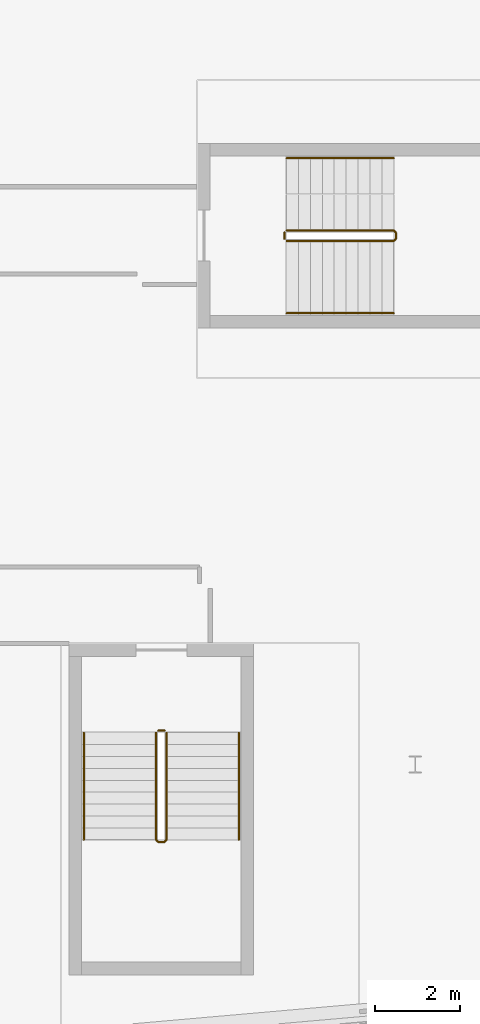
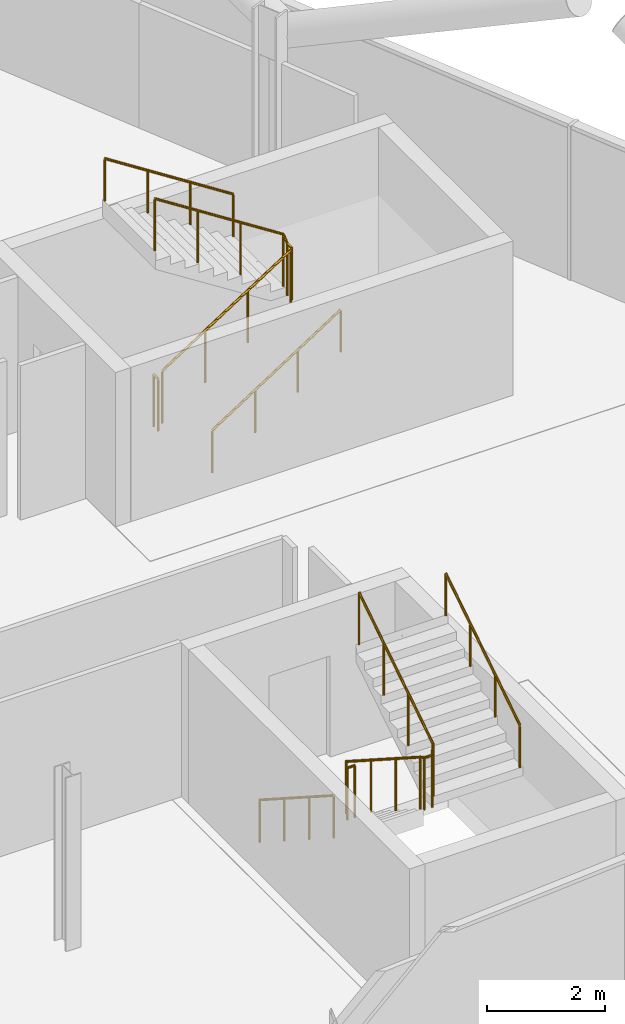
# One storey, part 24 of 25: 8 railings.
"""IFC4 building model written with IfcOpenShell, lengths in metres."""

from ifc_helpers import new_model, si_unit, direction, frame, origin, origin_2d, place, context, subcontext, project, spatial, circle, extrude, material, type_object, element, save


model = new_model("IFC4")

# Units and contexts
model_context = context("Model", 3, precision=1e-05, world=origin(), true_north=direction((0.0, 1.0)))
body_context = subcontext(model_context, "Body", "Model", "MODEL_VIEW")
ifc_project = project(units=[si_unit("LENGTHUNIT", "METRE"), si_unit("AREAUNIT", "SQUARE_METRE"), si_unit("VOLUMEUNIT", "CUBIC_METRE"), si_unit("PLANEANGLEUNIT", "RADIAN"), si_unit("MASSUNIT", "GRAM", prefix="KILO")], contexts=[model_context])

# Site, building, storey
site_placement = place(None, origin())
site = spatial("IfcSite", under=ifc_project, at=site_placement, CompositionType="ELEMENT")
building_placement = place(site_placement, origin())
building = spatial("IfcBuilding", under=site, at=building_placement, Name="Wharfspan Tower", CompositionType="ELEMENT")
storey_placement = place(building_placement, frame((0.0, 0.0, 232.300049)))
storey = spatial("IfcBuildingStorey", under=building, at=storey_placement, Name="L58", CompositionType="ELEMENT", Elevation=232.300049)

# Railings
ifc_material = material(Name="Steel S355J2", Category="steel")
railing_type_1 = type_object("IfcRailingType", Name="Stair guard 1100", PredefinedType="GUARDRAIL", material=ifc_material)
railing_1_placement = place(storey_placement, frame((65.893799, 12.246094, 0.179932)))
element("IfcRailing", 1, at=railing_1_placement, inside=storey, type_object=railing_type_1, Name="L58 ST5 stair guard 1", PredefinedType="GUARDRAIL", context=body_context, shape_type="SweptSolid", body=[
    extrude(circle(Radius=0.023926, at=origin_2d()), frame((0.0, 0.0, 1.076172), z_axis=(0.0, -0.841163, 0.540782), x_axis=(1.0, 0.0, 0.0)), (0.0, 0.0, 1.0), 2.99585),
    extrude(circle(Radius=0.023926, at=origin_2d()), frame((0.0, -2.52002, 2.696289), z_axis=(0.708834, -0.705376, 0.0), x_axis=(0.705376, 0.708834, 0.0)), (0.0, 0.0, 1.0), 0.070557),
    extrude(circle(Radius=0.023926, at=origin_2d()), frame((0.050049, -2.569824, 2.696289), z_axis=(1.0, 0.0, 0.0), x_axis=(0.0, 1.0, 0.0)), (0.0, 0.0, 1.0), 0.149902),
    extrude(circle(Radius=0.023926, at=origin_2d()), frame((0.199951, -2.569824, 2.696289), z_axis=(0.258932, 0.257669, 0.930892), x_axis=(-0.705372, 0.708833, -1e-06)), (0.0, 0.0, 1.0), 0.193359),
    extrude(circle(Radius=0.023926, at=origin_2d()), frame((0.25, -2.52002, 2.875977), z_axis=(0.0, 0.8412, 0.540725), x_axis=(-1.0, 0.0, 0.0)), (0.0, 0.0, 1.0), 2.99585),
    extrude(circle(Radius=0.020996, at=origin_2d()), origin(), (0.0, 0.0, 1.0), 1.052002),
    extrude(circle(Radius=0.020996, at=origin_2d()), frame((0.0, -0.840088, 0.540039)), (0.0, 0.0, 1.0), 1.052002),
    extrude(circle(Radius=0.020996, at=origin_2d()), frame((0.0, -1.679932, 1.080078)), (0.0, 0.0, 1.0), 1.052002),
    extrude(circle(Radius=0.020996, at=origin_2d()), frame((0.0, -2.52002, 1.620117)), (0.0, 0.0, 1.0), 1.052002),
    extrude(circle(Radius=0.020996, at=origin_2d()), frame((0.050049, -2.569824, 1.620117)), (0.0, 0.0, 1.0), 1.052002),
    extrude(circle(Radius=0.020996, at=origin_2d()), frame((0.199951, -2.569824, 1.620117)), (0.0, 0.0, 1.0), 1.052002),
    extrude(circle(Radius=0.020996, at=origin_2d()), frame((0.25, -2.52002, 1.800049)), (0.0, 0.0, 1.0), 1.052002),
    extrude(circle(Radius=0.020996, at=origin_2d()), frame((0.25, -1.679932, 2.340088)), (0.0, 0.0, 1.0), 1.052002),
    extrude(circle(Radius=0.020996, at=origin_2d()), frame((0.25, -0.840088, 2.879883)), (0.0, 0.0, 1.0), 1.052002),
    extrude(circle(Radius=0.020996, at=origin_2d()), frame((0.25, 0.0, 3.419922)), (0.0, 0.0, 1.0), 1.052002),
])
railing_2_placement = place(storey_placement, frame((65.943848, 12.296143, 0.0)))
element("IfcRailing", 2, at=railing_2_placement, inside=storey, type_object=railing_type_1, Name="L58 ST5 stair guard 2", PredefinedType="GUARDRAIL", context=body_context, shape_type="SweptSolid", body=[
    extrude(circle(Radius=0.023926, at=origin_2d()), frame((0.0, 0.0, 1.076172), z_axis=(1.0, 0.0, 0.0), x_axis=(0.0, 1.0, 0.0)), (0.0, 0.0, 1.0), 0.149902),
    extrude(circle(Radius=0.020996, at=origin_2d()), origin(), (0.0, 0.0, 1.0), 1.052002),
    extrude(circle(Radius=0.020996, at=origin_2d()), frame((0.149902, 0.0, 0.0)), (0.0, 0.0, 1.0), 1.052002),
])
railing_3_placement = place(storey_placement, frame((68.969482, 23.824951, 0.179932)))
element("IfcRailing", 3, at=railing_3_placement, inside=storey, type_object=railing_type_1, Name="L58 ST6 stair guard 1", PredefinedType="GUARDRAIL", context=body_context, shape_type="SweptSolid", body=[
    extrude(circle(Radius=0.023926, at=origin_2d()), frame((0.0, 0.0, 1.076172), z_axis=(0.841163, 0.0, 0.540782), x_axis=(0.0, 1.0, 0.0)), (0.0, 0.0, 1.0), 2.99585),
    extrude(circle(Radius=0.023926, at=origin_2d()), frame((2.52002, 0.0, 2.696289), z_axis=(0.707107, 0.707107, 0.0), x_axis=(-0.707107, 0.707107, 0.0)), (0.0, 0.0, 1.0), 0.070801),
    extrude(circle(Radius=0.023926, at=origin_2d()), frame((2.570068, 0.050049, 2.696289), z_axis=(0.0, 1.0, 0.0), x_axis=(-1.0, 0.0, 0.0)), (0.0, 0.0, 1.0), 0.149902),
    extrude(circle(Radius=0.023926, at=origin_2d()), frame((2.570068, 0.199951, 2.696289), z_axis=(-0.258848, 0.258848, 0.930589), x_axis=(-0.707107, -0.707107, 0.0)), (0.0, 0.0, 1.0), 0.193359),
    extrude(circle(Radius=0.023926, at=origin_2d()), frame((2.52002, 0.25, 2.875977), z_axis=(-0.8412, 0.0, 0.540725), x_axis=(0.0, -1.0, 0.0)), (0.0, 0.0, 1.0), 2.99585),
    extrude(circle(Radius=0.020996, at=origin_2d()), origin(), (0.0, 0.0, 1.0), 1.052002),
    extrude(circle(Radius=0.020996, at=origin_2d()), frame((0.840088, 0.0, 0.540039)), (0.0, 0.0, 1.0), 1.052002),
    extrude(circle(Radius=0.020996, at=origin_2d()), frame((1.679932, 0.0, 1.080078)), (0.0, 0.0, 1.0), 1.052002),
    extrude(circle(Radius=0.020996, at=origin_2d()), frame((2.52002, 0.0, 1.620117)), (0.0, 0.0, 1.0), 1.052002),
    extrude(circle(Radius=0.020996, at=origin_2d()), frame((2.570068, 0.050049, 1.620117)), (0.0, 0.0, 1.0), 1.052002),
    extrude(circle(Radius=0.020996, at=origin_2d()), frame((2.570068, 0.199951, 1.620117)), (0.0, 0.0, 1.0), 1.052002),
    extrude(circle(Radius=0.020996, at=origin_2d()), frame((2.52002, 0.25, 1.800049)), (0.0, 0.0, 1.0), 1.052002),
    extrude(circle(Radius=0.020996, at=origin_2d()), frame((1.679932, 0.25, 2.340088)), (0.0, 0.0, 1.0), 1.052002),
    extrude(circle(Radius=0.020996, at=origin_2d()), frame((0.840088, 0.25, 2.879883)), (0.0, 0.0, 1.0), 1.052002),
    extrude(circle(Radius=0.020996, at=origin_2d()), frame((0.0, 0.25, 3.419922)), (0.0, 0.0, 1.0), 1.052002),
])
railing_4_placement = place(storey_placement, frame((68.919678, 23.875, 0.0)))
element("IfcRailing", 4, at=railing_4_placement, inside=storey, type_object=railing_type_1, Name="L58 ST6 stair guard 2", PredefinedType="GUARDRAIL", context=body_context, shape_type="SweptSolid", body=[
    extrude(circle(Radius=0.023926, at=origin_2d()), frame((0.0, 0.0, 1.076172), z_axis=(0.0, 1.0, 0.0), x_axis=(-1.0, 0.0, 0.0)), (0.0, 0.0, 1.0), 0.149902),
    extrude(circle(Radius=0.020996, at=origin_2d()), origin(), (0.0, 0.0, 1.0), 1.052002),
    extrude(circle(Radius=0.020996, at=origin_2d()), frame((0.0, 0.149902, 0.0)), (0.0, 0.0, 1.0), 1.052002),
])
railing_type_2 = type_object("IfcRailingType", Name="Stair handrail 900", PredefinedType="HANDRAIL", material=ifc_material)
railing_5_placement = place(storey_placement, frame((64.193848, 12.246094, 0.179932)))
element("IfcRailing", 5, at=railing_5_placement, inside=storey, type_object=railing_type_2, Name="L58 ST5 stair handrail 1", PredefinedType="HANDRAIL", context=body_context, shape_type="SweptSolid", body=[
    extrude(circle(Radius=0.023926, at=origin_2d()), frame((0.0, 0.0, 0.875977), z_axis=(0.0, -0.841163, 0.540782), x_axis=(1.0, 0.0, 0.0)), (0.0, 0.0, 1.0), 2.99585),
    extrude(circle(Radius=0.020996, at=origin_2d()), origin(), (0.0, 0.0, 1.0), 0.851807),
    extrude(circle(Radius=0.020996, at=origin_2d()), frame((0.0, -0.840088, 0.540039)), (0.0, 0.0, 1.0), 0.851807),
    extrude(circle(Radius=0.020996, at=origin_2d()), frame((0.0, -1.679932, 1.080078)), (0.0, 0.0, 1.0), 0.851807),
    extrude(circle(Radius=0.020996, at=origin_2d()), frame((0.0, -2.52002, 1.620117)), (0.0, 0.0, 1.0), 0.851807),
])
railing_6_placement = place(storey_placement, frame((67.84375, 9.726074, 1.97998)))
element("IfcRailing", 6, at=railing_6_placement, inside=storey, type_object=railing_type_2, Name="L58 ST5 stair handrail 2", PredefinedType="HANDRAIL", context=body_context, shape_type="SweptSolid", body=[
    extrude(circle(Radius=0.023926, at=origin_2d()), frame((0.0, 0.0, 0.875977), z_axis=(0.0, 0.8412, 0.540725), x_axis=(-1.0, 0.0, 0.0)), (0.0, 0.0, 1.0), 2.99585),
    extrude(circle(Radius=0.020996, at=origin_2d()), origin(), (0.0, 0.0, 1.0), 0.851807),
    extrude(circle(Radius=0.020996, at=origin_2d()), frame((0.0, 0.840088, 0.540039)), (0.0, 0.0, 1.0), 0.851807),
    extrude(circle(Radius=0.020996, at=origin_2d()), frame((0.0, 1.679932, 1.079834)), (0.0, 0.0, 1.0), 0.851807),
    extrude(circle(Radius=0.020996, at=origin_2d()), frame((0.0, 2.52002, 1.619873)), (0.0, 0.0, 1.0), 0.851807),
])
railing_7_placement = place(storey_placement, frame((68.969482, 22.125, 0.179932)))
element("IfcRailing", 7, at=railing_7_placement, inside=storey, type_object=railing_type_2, Name="L58 ST6 stair handrail 1", PredefinedType="HANDRAIL", context=body_context, shape_type="SweptSolid", body=[
    extrude(circle(Radius=0.023926, at=origin_2d()), frame((0.0, 0.0, 0.875977), z_axis=(0.841163, 0.0, 0.540782), x_axis=(0.0, 1.0, 0.0)), (0.0, 0.0, 1.0), 2.99585),
    extrude(circle(Radius=0.020996, at=origin_2d()), origin(), (0.0, 0.0, 1.0), 0.851807),
    extrude(circle(Radius=0.020996, at=origin_2d()), frame((0.840088, 0.0, 0.540039)), (0.0, 0.0, 1.0), 0.851807),
    extrude(circle(Radius=0.020996, at=origin_2d()), frame((1.679932, 0.0, 1.080078)), (0.0, 0.0, 1.0), 0.851807),
    extrude(circle(Radius=0.020996, at=origin_2d()), frame((2.52002, 0.0, 1.620117)), (0.0, 0.0, 1.0), 0.851807),
])
railing_8_placement = place(storey_placement, frame((71.489502, 25.774902, 1.97998)))
element("IfcRailing", 8, at=railing_8_placement, inside=storey, type_object=railing_type_2, Name="L58 ST6 stair handrail 2", PredefinedType="HANDRAIL", context=body_context, shape_type="SweptSolid", body=[
    extrude(circle(Radius=0.023926, at=origin_2d()), frame((0.0, 0.0, 0.875977), z_axis=(-0.8412, 0.0, 0.540725), x_axis=(0.0, -1.0, 0.0)), (0.0, 0.0, 1.0), 2.99585),
    extrude(circle(Radius=0.020996, at=origin_2d()), origin(), (0.0, 0.0, 1.0), 0.851807),
    extrude(circle(Radius=0.020996, at=origin_2d()), frame((-0.840088, 0.0, 0.540039)), (0.0, 0.0, 1.0), 0.851807),
    extrude(circle(Radius=0.020996, at=origin_2d()), frame((-1.679932, 0.0, 1.079834)), (0.0, 0.0, 1.0), 0.851807),
    extrude(circle(Radius=0.020996, at=origin_2d()), frame((-2.52002, 0.0, 1.619873)), (0.0, 0.0, 1.0), 0.851807),
])

save(model, "model.ifc")
